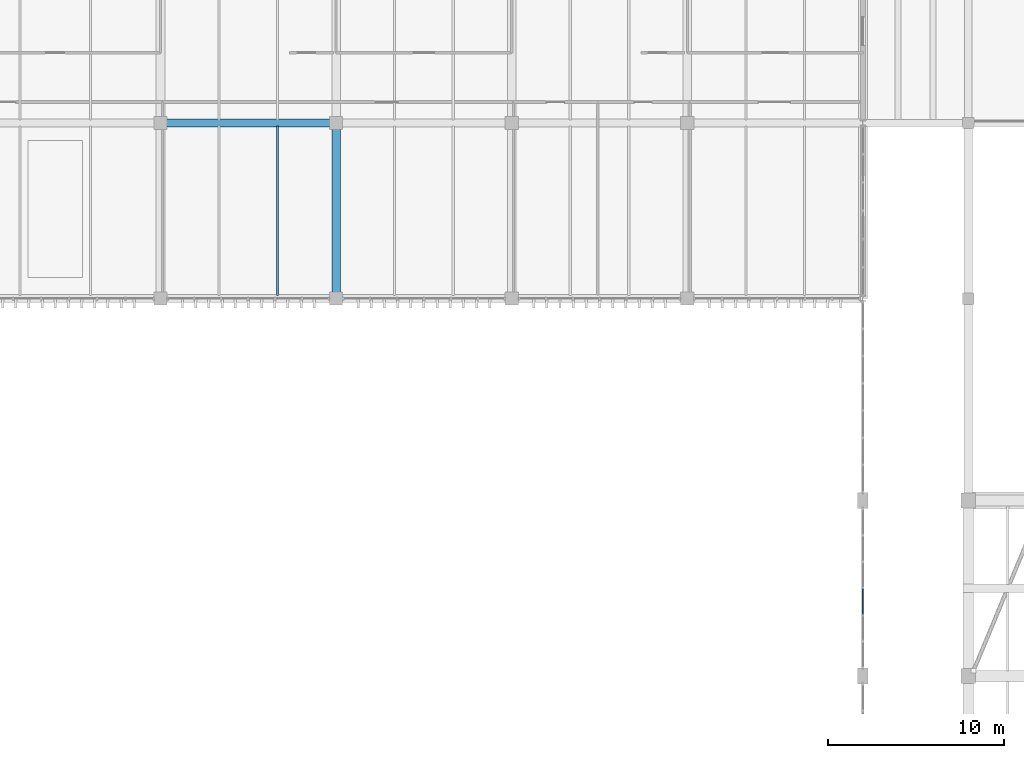
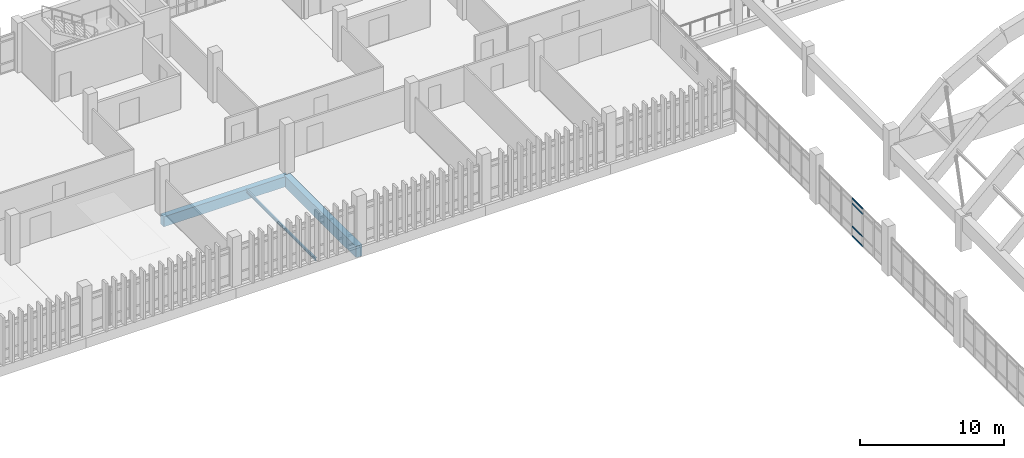
# One storey, part 40 of 111: 4 members, 3 beams, 1 element without a shape of its own.
"""IFC4 building model written with IfcOpenShell, lengths in metres."""

import ifcopenshell
import ifcopenshell.guid

model = None  # the IFC model being written
_history = None  # IfcOwnerHistory: only IFC2X3 demands one
_inside = {}  # id of a spatial element -> (the spatial element, [elements in it])
_under = {}  # id of a project, library or spatial element -> (it, [spatial elements below it])
_declared = {}  # id of a project -> (the project, [libraries it declares])
_typed = {}  # id of a type object -> (the type object, [elements of that type])
_made_of = {}  # id of a material, layer set ... -> (it, [elements and type objects made of it])


def new_model(schema):
    """Start an empty IFC model of exactly this schema.

    Asked for "IFC4X3", IfcOpenShell would pick the latest addendum, in which some entities
    have other attributes; the version numbers below select the first issue.
    IFC2X3 requires an IfcOwnerHistory on every rooted entity: one is made here for all.
    """
    global model, _history
    if schema == "IFC4X3":
        model = ifcopenshell.file(schema_version=(4, 3, 0, 0))
    else:
        model = ifcopenshell.file(schema=schema)
    _inside.clear()
    _under.clear()
    _declared.clear()
    _typed.clear()
    _made_of.clear()
    _history = None
    if model.schema == "IFC2X3":
        org = make("IfcOrganization", Name="unknown")
        user = make(
            "IfcPersonAndOrganization",
            ThePerson=make("IfcPerson", FamilyName="unknown"),
            TheOrganization=org,
        )
        app = make(
            "IfcApplication",
            ApplicationDeveloper=org,
            Version="unknown",
            ApplicationFullName="unknown",
            ApplicationIdentifier="unknown",
        )
        _history = make(
            "IfcOwnerHistory",
            OwningUser=user,
            OwningApplication=app,
            ChangeAction="ADDED",
            CreationDate=0,
        )
    return model


def make(cls, **values):
    """One entity of the class cls with the attributes given. An attribute that is None is left unset."""
    return model.create_entity(
        cls, **{name: value for name, value in values.items() if value is not None}
    )


def rooted(cls, **values):
    """An entity with a GlobalId (a new one), such as an element, a storey or a relation."""
    return make(cls, GlobalId=ifcopenshell.guid.new(), OwnerHistory=_history, **values)


def si_unit(unit_type, name, prefix=None):
    """IfcSIUnit, for example si_unit("LENGTHUNIT", "METRE", prefix="MILLI")."""
    return make("IfcSIUnit", UnitType=unit_type, Prefix=prefix, Name=name)


def assignment(units):
    """IfcUnitAssignment: the units of a project."""
    return None if units is None else make("IfcUnitAssignment", Units=units)


def point(xyz):
    """IfcCartesianPoint."""
    return None if xyz is None else make("IfcCartesianPoint", Coordinates=xyz)


def direction(xyz):
    """IfcDirection."""
    return None if xyz is None else make("IfcDirection", DirectionRatios=xyz)


def frame(location, z_axis=None, x_axis=None):
    """IfcAxis2Placement3D, a coordinate frame: its origin and axes. An axis left out is left unset."""
    return make(
        "IfcAxis2Placement3D",
        Location=point(location),
        Axis=direction(z_axis),
        RefDirection=direction(x_axis),
    )


def frame_2d(location, x_axis=None):
    """IfcAxis2Placement2D, a coordinate frame in the plane: its origin and x axis."""
    return make(
        "IfcAxis2Placement2D", Location=point(location), RefDirection=direction(x_axis)
    )


def origin():
    """The frame at (0, 0, 0) with its axes left unset."""
    return frame((0.0, 0.0, 0.0))


def origin_2d():
    """The frame at (0, 0) in the plane with its x axis left unset."""
    return frame_2d((0.0, 0.0))


def place(relative_to, where):
    """IfcLocalPlacement: puts the frame where relative to a parent placement (None: the world)."""
    return make(
        "IfcLocalPlacement", PlacementRelTo=relative_to, RelativePlacement=where
    )


def context(
    kind, dimensions, precision=None, world=None, true_north=None, identifier=None
):
    """IfcGeometricRepresentationContext, for example the 3D "Model" context."""
    return make(
        "IfcGeometricRepresentationContext",
        ContextIdentifier=identifier,
        ContextType=kind,
        CoordinateSpaceDimension=dimensions,
        Precision=precision,
        WorldCoordinateSystem=world,
        TrueNorth=true_north,
    )


def subcontext(parent, identifier, kind, view, scale=None):
    """IfcGeometricRepresentationSubContext, for example "Body" below "Model"."""
    return make(
        "IfcGeometricRepresentationSubContext",
        ContextIdentifier=identifier,
        ContextType=kind,
        ParentContext=parent,
        TargetScale=scale,
        TargetView=view,
    )


def project(units=None, contexts=None):
    """IfcProject with its units and contexts."""
    return rooted(
        "IfcProject",
        Name="project",
        RepresentationContexts=contexts,
        UnitsInContext=assignment(units),
    )


def spatial(cls, under=None, at=None, **own):
    """A site, building, storey or space (cls), placed at a placement, below another one or the project."""
    s = rooted(cls, ObjectPlacement=at, **own)
    if under is not None:
        _under.setdefault(under.id(), (under, []))[1].append(s)
    return s


def profile(cls, at=None, kind="AREA", **sizes):
    """A parametric profile (cls). Its sizes go by their IFC names, for example OverallWidth=200.0."""
    return make(cls, ProfileType=kind, Position=at, **sizes)


def rectangle(**sizes):
    """IfcRectangleProfileDef."""
    return profile("IfcRectangleProfileDef", **sizes)


def hollow_rectangle(**sizes):
    """IfcRectangleHollowProfileDef."""
    return profile("IfcRectangleHollowProfileDef", **sizes)


def i_section(**sizes):
    """IfcIShapeProfileDef."""
    return profile("IfcIShapeProfileDef", **sizes)


def extrude(swept, where, along, depth):
    """IfcExtrudedAreaSolid: the profile swept, set in the frame where, extruded along a direction by depth."""
    return make(
        "IfcExtrudedAreaSolid",
        SweptArea=swept,
        Position=where,
        ExtrudedDirection=direction(along),
        Depth=depth,
    )


def shape(context_of_items, identifier, shape_type, items):
    """IfcShapeRepresentation: the items that make up one representation, for example the "Body"."""
    return make(
        "IfcShapeRepresentation",
        ContextOfItems=context_of_items,
        RepresentationIdentifier=identifier,
        RepresentationType=shape_type,
        Items=items,
    )


def material(Name=None, Category=None):
    """IfcMaterial."""
    return make("IfcMaterial", Name=Name, Category=Category)


def layer(
    of_material, thickness, ventilated=None, Name=None, Category=None, Priority=None
):
    """IfcMaterialLayer: one layer of a wall or slab, of a material (None: an air gap)."""
    return make(
        "IfcMaterialLayer",
        Material=of_material,
        LayerThickness=thickness,
        IsVentilated=ventilated,
        Name=Name,
        Category=Category,
        Priority=Priority,
    )


def layer_set(layers, Name=None):
    """IfcMaterialLayerSet."""
    return make("IfcMaterialLayerSet", MaterialLayers=layers, LayerSetName=Name)


def material_profile(
    of_material, cross_section, Name=None, Category=None, Priority=None
):
    """IfcMaterialProfile: a cross section and its material."""
    return make(
        "IfcMaterialProfile",
        Name=Name,
        Material=of_material,
        Profile=cross_section,
        Priority=Priority,
        Category=Category,
    )


def profile_set(profiles, Name=None, composite=None):
    """IfcMaterialProfileSet."""
    return make(
        "IfcMaterialProfileSet",
        Name=Name,
        MaterialProfiles=profiles,
        CompositeProfile=composite,
    )


def made_of(thing, what):
    """Note that an element or type object is made of a material, layer set ...; save() writes the relation."""
    if what is not None:
        _made_of.setdefault(what.id(), (what, []))[1].append(thing)
    return thing


def type_object(cls, material=None, **own):
    """A type object (cls), such as IfcWallType, which elements share."""
    return made_of(rooted(cls, **own), material)


def element(
    cls,
    number,
    at=None,
    inside=None,
    cuts=None,
    type_object=None,
    material=None,
    context=None,
    identifier="Body",
    shape_type=None,
    held_by="IfcProductDefinitionShape",
    body=None,
    shapes=None,
    **own,
):
    """One element of the class cls, such as IfcWall. Its Tag is "e" and its number.

    at: its placement. inside: the storey or other place that contains it. cuts: it is an
    opening in that element (IfcRelVoidsElement). A single representation is given by context,
    identifier, shape_type and body (its items); several are given by shapes. held_by: the class
    of the entity that holds the representations. save() writes the other relations.
    """
    e = rooted(cls, Tag="e%d" % number, ObjectPlacement=at, **own)
    if body is not None:
        shapes = [shape(context, identifier, shape_type, body)]
    if shapes is not None:
        e.Representation = make(held_by, Representations=shapes)
    if inside is not None:
        _inside.setdefault(inside.id(), (inside, []))[1].append(e)
    if cuts is not None:
        rooted(
            "IfcRelVoidsElement", RelatingBuildingElement=cuts, RelatedOpeningElement=e
        )
    if type_object is not None:
        _typed.setdefault(type_object.id(), (type_object, []))[1].append(e)
    return made_of(e, material)


def aggregate(whole, parts):
    """IfcRelAggregates: a whole, such as a stair, and the parts it consists of."""
    return rooted("IfcRelAggregates", RelatingObject=whole, RelatedObjects=parts)


def save(model, path):
    """Write the relations noted so far, then the file.

    IfcRelAggregates (storeys below a building ...), IfcRelContainedInSpatialStructure (elements
    in a storey), IfcRelDefinesByType, IfcRelAssociatesMaterial and IfcRelDeclares: one each for
    every whole, place, type object, material and project.
    """
    for whole, parts in _under.values():
        aggregate(whole, parts)
    for where, things in _inside.values():
        rooted(
            "IfcRelContainedInSpatialStructure",
            RelatedElements=things,
            RelatingStructure=where,
        )
    for kind, things in _typed.values():
        rooted("IfcRelDefinesByType", RelatedObjects=things, RelatingType=kind)
    for what, things in _made_of.values():
        rooted("IfcRelAssociatesMaterial", RelatedObjects=things, RelatingMaterial=what)
    for by, libraries in _declared.values():
        rooted("IfcRelDeclares", RelatingContext=by, RelatedDefinitions=libraries)
    model.write(path)


model = new_model("IFC4")

# Units and contexts
model_context = context("Model", 3, precision=1e-05, world=origin(), true_north=direction((0.0, 1.0)))
body_context = subcontext(model_context, "Body", "Model", "MODEL_VIEW")
ifc_project = project(units=[si_unit("LENGTHUNIT", "METRE"), si_unit("AREAUNIT", "SQUARE_METRE"), si_unit("VOLUMEUNIT", "CUBIC_METRE"), si_unit("PLANEANGLEUNIT", "RADIAN"), si_unit("MASSUNIT", "GRAM", prefix="KILO")], contexts=[model_context])

# Site, building, storey
site_placement = place(None, origin())
site = spatial("IfcSite", under=ifc_project, at=site_placement, CompositionType="ELEMENT")
building_placement = place(site_placement, origin())
building = spatial("IfcBuilding", under=site, at=building_placement, Name="Mersad Railyard Sports Hall", CompositionType="ELEMENT")
storey_placement = place(building_placement, frame((0.0, 0.0, 9.0)))
storey = spatial("IfcBuildingStorey", under=building, at=storey_placement, Name="L02", CompositionType="ELEMENT", Elevation=9.0)

# Curtain wall, members
ifc_material_1 = material(Name="Aluminium 6063-T6", Category="aluminium")
ifc_layer = layer(ifc_material_1, 0.159912109375)
ifc_layer_set = layer_set([ifc_layer], Name="Aluminium 6063-T6")
curtain_wall_type = type_object("IfcCurtainWallType", Name="ARC-CW-CW17", PredefinedType="USERDEFINED", material=ifc_layer_set)
curtain_wall_placement = place(storey_placement, origin())
curtain_wall = element("IfcCurtainWall", 1, at=curtain_wall_placement, inside=storey, type_object=curtain_wall_type, Name="Curtain wall CW17-0077", ObjectType="CURTAIN WALL", PredefinedType="USERDEFINED")
ifc_material_profile_1 = material_profile(ifc_material_1, hollow_rectangle(XDim=0.06005859375, YDim=0.1201171875, WallThickness=0.00390625, at=origin_2d()), Name="AL TRANSOM 60x120x4")
ifc_profile_set_1 = profile_set([ifc_material_profile_1], Name="Aluminium 6063-T6")
member_type = type_object("IfcMemberType", Name="ARC-CW-TRN01", PredefinedType="USERDEFINED", material=ifc_profile_set_1)
member_1_placement = place(storey_placement, frame((131.0, 67.010009765625, 0.0400390625), z_axis=(0.0, 1.0, 0.0), x_axis=(-1.0, 0.0, 0.0)))
member_1 = element("IfcMember", 2, at=member_1_placement, type_object=member_type, Name="CW17 Transom 1-3", ObjectType="TRANSOM", PredefinedType="USERDEFINED", context=body_context, shape_type="SweptSolid", body=[
    extrude(hollow_rectangle(XDim=0.06005859375, YDim=0.1201171875, WallThickness=0.00390625, at=origin_2d()), origin(), (0.0, 0.0, 1.0), 1.469970703125),
])
member_2_placement = place(storey_placement, frame((131.0, 67.010009765625, 0.85009765625), z_axis=(0.0, 1.0, 0.0), x_axis=(-1.0, 0.0, 0.0)))
member_2 = element("IfcMember", 3, at=member_2_placement, type_object=member_type, Name="CW17 Transom 2-3", ObjectType="TRANSOM", PredefinedType="USERDEFINED", context=body_context, shape_type="SweptSolid", body=[
    extrude(hollow_rectangle(XDim=0.06005859375, YDim=0.1201171875, WallThickness=0.00390625, at=origin_2d()), origin(), (0.0, 0.0, 1.0), 1.469970703125),
])
member_3_placement = place(storey_placement, frame((131.0, 67.010009765625, 2.780029296875), z_axis=(0.0, 1.0, 0.0), x_axis=(-1.0, 0.0, 0.0)))
member_3 = element("IfcMember", 4, at=member_3_placement, type_object=member_type, Name="CW17 Transom 3-3", ObjectType="TRANSOM", PredefinedType="USERDEFINED", context=body_context, shape_type="SweptSolid", body=[
    extrude(hollow_rectangle(XDim=0.06005859375, YDim=0.1201171875, WallThickness=0.00390625, at=origin_2d()), origin(), (0.0, 0.0, 1.0), 1.469970703125),
])
member_4_placement = place(storey_placement, frame((131.0, 67.010009765625, 3.219970703125), z_axis=(0.0, 1.0, 0.0), x_axis=(-1.0, 0.0, 0.0)))
member_4 = element("IfcMember", 5, at=member_4_placement, type_object=member_type, Name="CW17 Transom 4-3", ObjectType="TRANSOM", PredefinedType="USERDEFINED", context=body_context, shape_type="SweptSolid", body=[
    extrude(hollow_rectangle(XDim=0.06005859375, YDim=0.1201171875, WallThickness=0.00390625, at=origin_2d()), origin(), (0.0, 0.0, 1.0), 1.469970703125),
])
aggregate(curtain_wall, [member_1, member_2, member_3, member_4])

# Beams
ifc_material_2 = material(Name="Concrete C40/50", Category="concrete")
ifc_material_profile_2 = material_profile(ifc_material_2, rectangle(XDim=0.449951171875, YDim=0.85009765625, at=origin_2d()), Name="RC 450x850")
ifc_profile_set_2 = profile_set([ifc_material_profile_2], Name="Concrete C40/50")
beam_type_1 = type_object("IfcBeamType", Name="STR-BM-B02", PredefinedType="BEAM", material=ifc_profile_set_2)
beam_1_placement = place(storey_placement, frame((91.0, 95.0, -0.72509765625), z_axis=(1.0, 0.0, 0.0), x_axis=(0.0, 1.0, 0.0)))
element("IfcBeam", 6, at=beam_1_placement, inside=storey, type_object=beam_type_1, Name="Beam B02-1077", PredefinedType="BEAM", context=body_context, shape_type="SweptSolid", body=[
    extrude(rectangle(XDim=0.449951171875, YDim=0.85009765625, at=origin_2d()), origin(), (0.0, 0.0, 1.0), 10.0),
])
ifc_material_3 = material(Name="Concrete C50/60", Category="concrete")
ifc_material_profile_3 = material_profile(ifc_material_3, rectangle(XDim=0.5, YDim=0.949951171875, at=origin_2d()), Name="RC 500x950")
ifc_profile_set_3 = profile_set([ifc_material_profile_3], Name="Concrete C50/60")
beam_type_2 = type_object("IfcBeamType", Name="STR-BM-B03", PredefinedType="BEAM", material=ifc_profile_set_3)
beam_2_placement = place(storey_placement, frame((101.0, 85.0, -0.77490234375), z_axis=(0.0, 1.0, 0.0), x_axis=(-1.0, 0.0, 0.0)))
element("IfcBeam", 7, at=beam_2_placement, inside=storey, type_object=beam_type_2, Name="Beam B03-1112", PredefinedType="BEAM", context=body_context, shape_type="SweptSolid", body=[
    extrude(rectangle(XDim=0.5, YDim=0.949951171875, at=origin_2d()), origin(), (0.0, 0.0, 1.0), 10.0),
])
ifc_material_4 = material(Name="Steel S355", Category="steel")
ifc_material_profile_4 = material_profile(ifc_material_4, i_section(OverallWidth=0.1201171875, OverallDepth=0.239990234375, WebThickness=0.006103515625, FlangeThickness=0.009765625, at=origin_2d()), Name="IPE 240")
ifc_profile_set_4 = profile_set([ifc_material_profile_4], Name="Steel S355")
beam_type_3 = type_object("IfcBeamType", Name="STR-BM-SB03", PredefinedType="BEAM", material=ifc_profile_set_4)
beam_3_placement = place(storey_placement, frame((97.6669921875, 85.179931640625, -0.419921875), z_axis=(0.0, 1.0, 0.0), x_axis=(-1.0, 0.0, 0.0)))
element("IfcBeam", 8, at=beam_3_placement, inside=storey, type_object=beam_type_3, Name="Beam SB03-1173", PredefinedType="BEAM", context=body_context, shape_type="SweptSolid", body=[
    extrude(i_section(OverallWidth=0.1201171875, OverallDepth=0.239990234375, WebThickness=0.006103515625, FlangeThickness=0.009765625, at=origin_2d()), origin(), (0.0, 0.0, 1.0), 9.64013671875),
])

save(model, "model.ifc")
